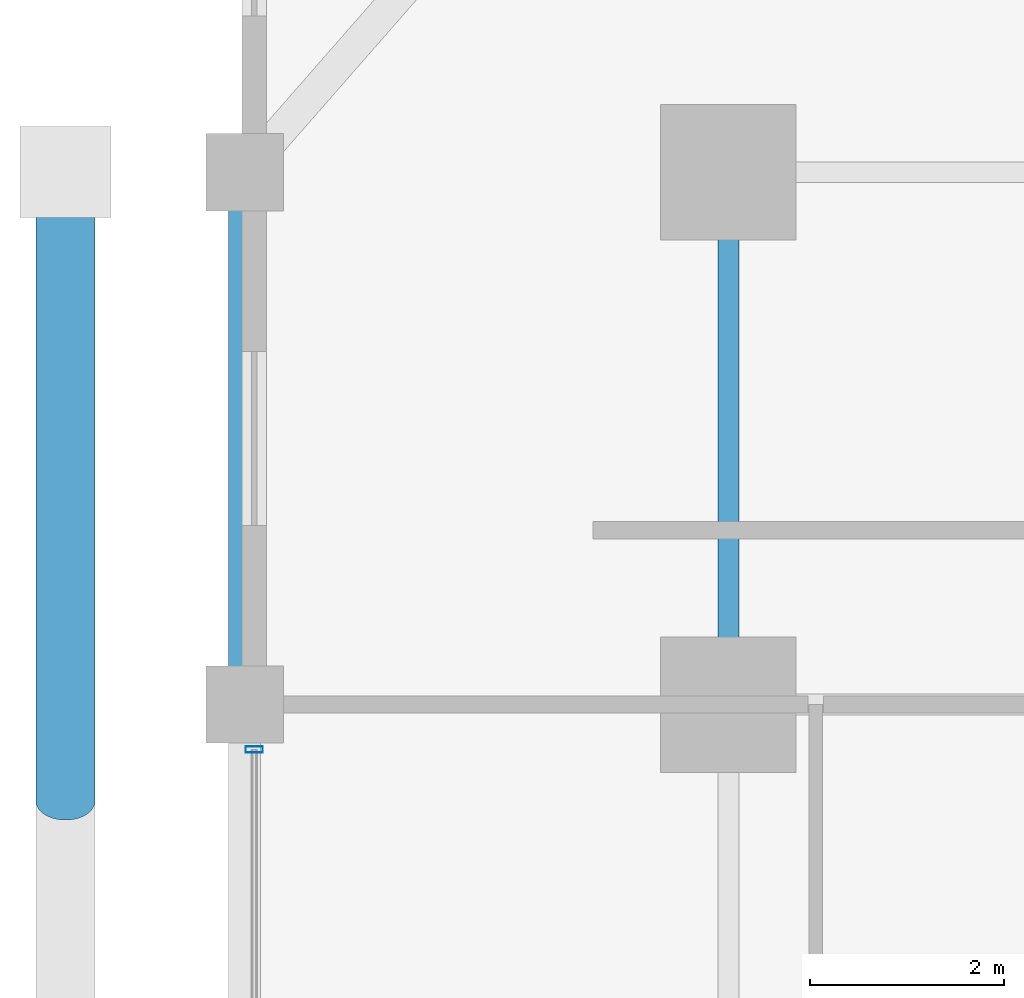
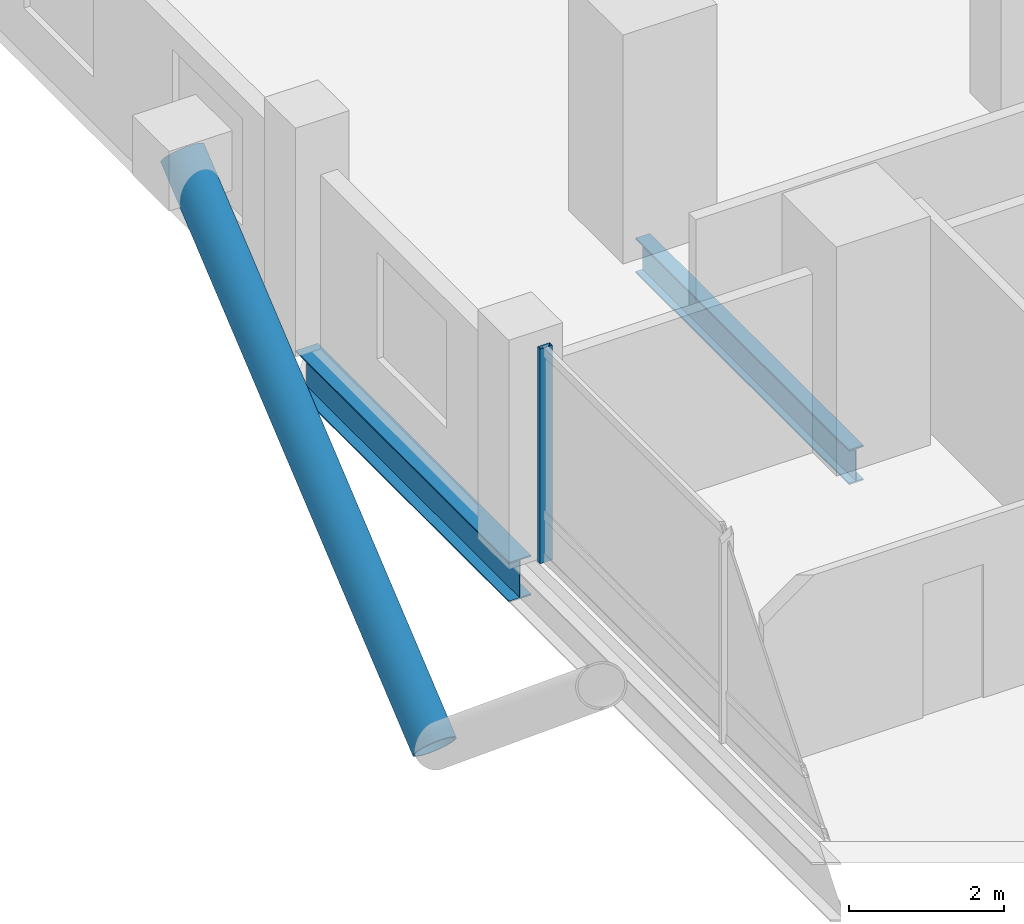
# One storey, part 11 of 23: 2 beams, 2 members, 1 element without a shape of its own.
"""IFC4 building model written with IfcOpenShell, lengths in metres."""

import ifcopenshell
import ifcopenshell.guid

model = None  # the IFC model being written
_history = None  # IfcOwnerHistory: only IFC2X3 demands one
_inside = {}  # id of a spatial element -> (the spatial element, [elements in it])
_under = {}  # id of a project, library or spatial element -> (it, [spatial elements below it])
_declared = {}  # id of a project -> (the project, [libraries it declares])
_typed = {}  # id of a type object -> (the type object, [elements of that type])
_made_of = {}  # id of a material, layer set ... -> (it, [elements and type objects made of it])


def new_model(schema):
    """Start an empty IFC model of exactly this schema.

    Asked for "IFC4X3", IfcOpenShell would pick the latest addendum, in which some entities
    have other attributes; the version numbers below select the first issue.
    IFC2X3 requires an IfcOwnerHistory on every rooted entity: one is made here for all.
    """
    global model, _history
    if schema == "IFC4X3":
        model = ifcopenshell.file(schema_version=(4, 3, 0, 0))
    else:
        model = ifcopenshell.file(schema=schema)
    _inside.clear()
    _under.clear()
    _declared.clear()
    _typed.clear()
    _made_of.clear()
    _history = None
    if model.schema == "IFC2X3":
        org = make("IfcOrganization", Name="unknown")
        user = make(
            "IfcPersonAndOrganization",
            ThePerson=make("IfcPerson", FamilyName="unknown"),
            TheOrganization=org,
        )
        app = make(
            "IfcApplication",
            ApplicationDeveloper=org,
            Version="unknown",
            ApplicationFullName="unknown",
            ApplicationIdentifier="unknown",
        )
        _history = make(
            "IfcOwnerHistory",
            OwningUser=user,
            OwningApplication=app,
            ChangeAction="ADDED",
            CreationDate=0,
        )
    return model


def make(cls, **values):
    """One entity of the class cls with the attributes given. An attribute that is None is left unset."""
    return model.create_entity(
        cls, **{name: value for name, value in values.items() if value is not None}
    )


def rooted(cls, **values):
    """An entity with a GlobalId (a new one), such as an element, a storey or a relation."""
    return make(cls, GlobalId=ifcopenshell.guid.new(), OwnerHistory=_history, **values)


def si_unit(unit_type, name, prefix=None):
    """IfcSIUnit, for example si_unit("LENGTHUNIT", "METRE", prefix="MILLI")."""
    return make("IfcSIUnit", UnitType=unit_type, Prefix=prefix, Name=name)


def assignment(units):
    """IfcUnitAssignment: the units of a project."""
    return None if units is None else make("IfcUnitAssignment", Units=units)


def point(xyz):
    """IfcCartesianPoint."""
    return None if xyz is None else make("IfcCartesianPoint", Coordinates=xyz)


def direction(xyz):
    """IfcDirection."""
    return None if xyz is None else make("IfcDirection", DirectionRatios=xyz)


def frame(location, z_axis=None, x_axis=None):
    """IfcAxis2Placement3D, a coordinate frame: its origin and axes. An axis left out is left unset."""
    return make(
        "IfcAxis2Placement3D",
        Location=point(location),
        Axis=direction(z_axis),
        RefDirection=direction(x_axis),
    )


def frame_2d(location, x_axis=None):
    """IfcAxis2Placement2D, a coordinate frame in the plane: its origin and x axis."""
    return make(
        "IfcAxis2Placement2D", Location=point(location), RefDirection=direction(x_axis)
    )


def origin():
    """The frame at (0, 0, 0) with its axes left unset."""
    return frame((0.0, 0.0, 0.0))


def origin_2d():
    """The frame at (0, 0) in the plane with its x axis left unset."""
    return frame_2d((0.0, 0.0))


def place(relative_to, where):
    """IfcLocalPlacement: puts the frame where relative to a parent placement (None: the world)."""
    return make(
        "IfcLocalPlacement", PlacementRelTo=relative_to, RelativePlacement=where
    )


def context(
    kind, dimensions, precision=None, world=None, true_north=None, identifier=None
):
    """IfcGeometricRepresentationContext, for example the 3D "Model" context."""
    return make(
        "IfcGeometricRepresentationContext",
        ContextIdentifier=identifier,
        ContextType=kind,
        CoordinateSpaceDimension=dimensions,
        Precision=precision,
        WorldCoordinateSystem=world,
        TrueNorth=true_north,
    )


def subcontext(parent, identifier, kind, view, scale=None):
    """IfcGeometricRepresentationSubContext, for example "Body" below "Model"."""
    return make(
        "IfcGeometricRepresentationSubContext",
        ContextIdentifier=identifier,
        ContextType=kind,
        ParentContext=parent,
        TargetScale=scale,
        TargetView=view,
    )


def project(units=None, contexts=None):
    """IfcProject with its units and contexts."""
    return rooted(
        "IfcProject",
        Name="project",
        RepresentationContexts=contexts,
        UnitsInContext=assignment(units),
    )


def spatial(cls, under=None, at=None, **own):
    """A site, building, storey or space (cls), placed at a placement, below another one or the project."""
    s = rooted(cls, ObjectPlacement=at, **own)
    if under is not None:
        _under.setdefault(under.id(), (under, []))[1].append(s)
    return s


def profile(cls, at=None, kind="AREA", **sizes):
    """A parametric profile (cls). Its sizes go by their IFC names, for example OverallWidth=200.0."""
    return make(cls, ProfileType=kind, Position=at, **sizes)


def hollow_rectangle(**sizes):
    """IfcRectangleHollowProfileDef."""
    return profile("IfcRectangleHollowProfileDef", **sizes)


def hollow_circle(**sizes):
    """IfcCircleHollowProfileDef."""
    return profile("IfcCircleHollowProfileDef", **sizes)


def i_section(**sizes):
    """IfcIShapeProfileDef."""
    return profile("IfcIShapeProfileDef", **sizes)


def extrude(swept, where, along, depth):
    """IfcExtrudedAreaSolid: the profile swept, set in the frame where, extruded along a direction by depth."""
    return make(
        "IfcExtrudedAreaSolid",
        SweptArea=swept,
        Position=where,
        ExtrudedDirection=direction(along),
        Depth=depth,
    )


def shape(context_of_items, identifier, shape_type, items):
    """IfcShapeRepresentation: the items that make up one representation, for example the "Body"."""
    return make(
        "IfcShapeRepresentation",
        ContextOfItems=context_of_items,
        RepresentationIdentifier=identifier,
        RepresentationType=shape_type,
        Items=items,
    )


def material(Name=None, Category=None):
    """IfcMaterial."""
    return make("IfcMaterial", Name=Name, Category=Category)


def layer(
    of_material, thickness, ventilated=None, Name=None, Category=None, Priority=None
):
    """IfcMaterialLayer: one layer of a wall or slab, of a material (None: an air gap)."""
    return make(
        "IfcMaterialLayer",
        Material=of_material,
        LayerThickness=thickness,
        IsVentilated=ventilated,
        Name=Name,
        Category=Category,
        Priority=Priority,
    )


def layer_set(layers, Name=None):
    """IfcMaterialLayerSet."""
    return make("IfcMaterialLayerSet", MaterialLayers=layers, LayerSetName=Name)


def material_profile(
    of_material, cross_section, Name=None, Category=None, Priority=None
):
    """IfcMaterialProfile: a cross section and its material."""
    return make(
        "IfcMaterialProfile",
        Name=Name,
        Material=of_material,
        Profile=cross_section,
        Priority=Priority,
        Category=Category,
    )


def profile_set(profiles, Name=None, composite=None):
    """IfcMaterialProfileSet."""
    return make(
        "IfcMaterialProfileSet",
        Name=Name,
        MaterialProfiles=profiles,
        CompositeProfile=composite,
    )


def made_of(thing, what):
    """Note that an element or type object is made of a material, layer set ...; save() writes the relation."""
    if what is not None:
        _made_of.setdefault(what.id(), (what, []))[1].append(thing)
    return thing


def type_object(cls, material=None, **own):
    """A type object (cls), such as IfcWallType, which elements share."""
    return made_of(rooted(cls, **own), material)


def element(
    cls,
    number,
    at=None,
    inside=None,
    cuts=None,
    type_object=None,
    material=None,
    context=None,
    identifier="Body",
    shape_type=None,
    held_by="IfcProductDefinitionShape",
    body=None,
    shapes=None,
    **own,
):
    """One element of the class cls, such as IfcWall. Its Tag is "e" and its number.

    at: its placement. inside: the storey or other place that contains it. cuts: it is an
    opening in that element (IfcRelVoidsElement). A single representation is given by context,
    identifier, shape_type and body (its items); several are given by shapes. held_by: the class
    of the entity that holds the representations. save() writes the other relations.
    """
    e = rooted(cls, Tag="e%d" % number, ObjectPlacement=at, **own)
    if body is not None:
        shapes = [shape(context, identifier, shape_type, body)]
    if shapes is not None:
        e.Representation = make(held_by, Representations=shapes)
    if inside is not None:
        _inside.setdefault(inside.id(), (inside, []))[1].append(e)
    if cuts is not None:
        rooted(
            "IfcRelVoidsElement", RelatingBuildingElement=cuts, RelatedOpeningElement=e
        )
    if type_object is not None:
        _typed.setdefault(type_object.id(), (type_object, []))[1].append(e)
    return made_of(e, material)


def aggregate(whole, parts):
    """IfcRelAggregates: a whole, such as a stair, and the parts it consists of."""
    return rooted("IfcRelAggregates", RelatingObject=whole, RelatedObjects=parts)


def save(model, path):
    """Write the relations noted so far, then the file.

    IfcRelAggregates (storeys below a building ...), IfcRelContainedInSpatialStructure (elements
    in a storey), IfcRelDefinesByType, IfcRelAssociatesMaterial and IfcRelDeclares: one each for
    every whole, place, type object, material and project.
    """
    for whole, parts in _under.values():
        aggregate(whole, parts)
    for where, things in _inside.values():
        rooted(
            "IfcRelContainedInSpatialStructure",
            RelatedElements=things,
            RelatingStructure=where,
        )
    for kind, things in _typed.values():
        rooted("IfcRelDefinesByType", RelatedObjects=things, RelatingType=kind)
    for what, things in _made_of.values():
        rooted("IfcRelAssociatesMaterial", RelatedObjects=things, RelatingMaterial=what)
    for by, libraries in _declared.values():
        rooted("IfcRelDeclares", RelatingContext=by, RelatedDefinitions=libraries)
    model.write(path)


model = new_model("IFC4")

# Units and contexts
model_context = context("Model", 3, precision=1e-05, world=origin(), true_north=direction((0.0, 1.0)))
body_context = subcontext(model_context, "Body", "Model", "MODEL_VIEW")
ifc_project = project(units=[si_unit("LENGTHUNIT", "METRE"), si_unit("AREAUNIT", "SQUARE_METRE"), si_unit("VOLUMEUNIT", "CUBIC_METRE"), si_unit("PLANEANGLEUNIT", "RADIAN"), si_unit("MASSUNIT", "GRAM", prefix="KILO")], contexts=[model_context])

# Site, building, storey
site_placement = place(None, origin())
site = spatial("IfcSite", under=ifc_project, at=site_placement, CompositionType="ELEMENT")
building_placement = place(site_placement, origin())
building = spatial("IfcBuilding", under=site, at=building_placement, Name="Barlavira Tower and Art Museum", CompositionType="ELEMENT")
storey_placement = place(building_placement, frame((0.0, 0.0, 68.39990234375)))
storey = spatial("IfcBuildingStorey", under=building, at=storey_placement, Name="L16", CompositionType="ELEMENT", Elevation=68.39990234375)

# Curtain wall, member
ifc_material_1 = material(Name="Low-iron coastal laminated glass", Category="glass")
ifc_layer = layer(ifc_material_1, 0.179931640625, Name="Low-iron coastal laminated glass")
ifc_layer_set = layer_set([ifc_layer], Name="Low-iron coastal laminated glass")
curtain_wall_type = type_object("IfcCurtainWallType", Name="Pale-Metal Unitised Curtain Wall Zone 1", PredefinedType="NOTDEFINED", material=ifc_layer_set)
curtain_wall_placement = place(storey_placement, origin())
curtain_wall = element("IfcCurtainWall", 1, at=curtain_wall_placement, inside=storey, type_object=curtain_wall_type, Name="L16 Curtain Wall CW1-L16-W-B3", PredefinedType="NOTDEFINED")
ifc_material_2 = material(Name="Pale anodised aluminium", Category="aluminium")
ifc_material_profile_1 = material_profile(ifc_material_2, hollow_rectangle(XDim=0.06494140625, YDim=0.179931640625, WallThickness=0.00390625, at=origin_2d()), Name="ALU-MULL 65x180x4")
ifc_profile_set_1 = profile_set([ifc_material_profile_1], Name="Pale anodised aluminium")
member_type_1 = type_object("IfcMemberType", Name="Curtain Wall Pale-Metal Mullion 65x180", PredefinedType="MULLION", material=ifc_profile_set_1)
member_1_placement = place(storey_placement, frame((-21.89990234375, 7.034912109375, 0.0), z_axis=(0.0, 0.0, 1.0), x_axis=(0.0, -1.0, 0.0)))
member_1 = element("IfcMember", 2, at=member_1_placement, type_object=member_type_1, Name="CW1-L16-W-B3 Mullion 0", PredefinedType="MULLION", context=body_context, shape_type="SweptSolid", body=[
    extrude(hollow_rectangle(XDim=0.06494140625, YDim=0.179931640625, WallThickness=0.00390625, at=origin_2d()), origin(), (0.0, 0.0, 1.0), 3.380126953125),
])
aggregate(curtain_wall, [member_1])

# Member
ifc_material_3 = material(Name="Steel S355", Category="steel")
ifc_material_profile_2 = material_profile(ifc_material_3, hollow_circle(Radius=0.304931640625, WallThickness=0.028076171875, at=origin_2d()), Name="CHS 610.0x28.0")
ifc_profile_set_2 = profile_set([ifc_material_profile_2], Name="Steel S355")
member_type_2 = type_object("IfcMemberType", Name="Pale-Metal Exoskeleton Diagrid Tube CHS 610x28 Steel S355", PredefinedType="BRACE", material=ifc_profile_set_2)
member_2_placement = place(storey_placement, frame((-23.85009765625, 6.5, -1.919921875), z_axis=(0.0, 0.769196053329, 0.639012857104), x_axis=(-1.0, 0.0, 0.0)))
element("IfcMember", 3, at=member_2_placement, inside=storey, type_object=member_type_2, Name="L16 Exoskeleton Diagrid Tube W", PredefinedType="BRACE", context=body_context, shape_type="SweptSolid", body=[
    extrude(hollow_circle(Radius=0.304931640625, WallThickness=0.028076171875, at=origin_2d()), origin(), (0.0, 0.0, 1.0), 8.450439453125),
])

# Beams
ifc_material_profile_3 = material_profile(ifc_material_3, i_section(OverallWidth=0.327880859375, OverallDepth=0.62890625, WebThickness=0.013916015625, FlangeThickness=0.021484375, at=origin_2d()), Name="W610x174.0")
ifc_profile_set_3 = profile_set([ifc_material_profile_3], Name="Steel S355")
beam_type_1 = type_object("IfcBeamType", Name="Perimeter Spandrel Edge Beam W610x174 Steel S355", PredefinedType="SPANDREL", material=ifc_profile_set_3)
beam_1_placement = place(storey_placement, frame((-22.0, 7.5, -0.534423828125), z_axis=(0.0, 1.0, 0.0), x_axis=(-1.0, 0.0, 0.0)))
element("IfcBeam", 4, at=beam_1_placement, inside=storey, type_object=beam_type_1, Name="L16 Spandrel 13", PredefinedType="SPANDREL", context=body_context, shape_type="SweptSolid", body=[
    extrude(i_section(OverallWidth=0.327880859375, OverallDepth=0.62890625, WebThickness=0.013916015625, FlangeThickness=0.021484375, at=origin_2d()), origin(), (0.0, 0.0, 1.0), 5.5),
])
ifc_material_profile_4 = material_profile(ifc_material_3, i_section(OverallWidth=0.214111328125, OverallDepth=0.549072265625, WebThickness=0.0146484375, FlangeThickness=0.023681640625, at=origin_2d()), Name="W530x138.0")
ifc_profile_set_4 = profile_set([ifc_material_profile_4], Name="Steel S355")
beam_type_2 = type_object("IfcBeamType", Name="Zone 1 Primary Floor Girder W530x138 Steel S355", PredefinedType="BEAM", material=ifc_profile_set_4)
beam_2_placement = place(storey_placement, frame((-17.0, 7.5, -0.494384765625), z_axis=(0.0, 1.0, 0.0), x_axis=(-1.0, 0.0, 0.0)))
element("IfcBeam", 5, at=beam_2_placement, inside=storey, type_object=beam_type_2, Name="L16 Girder M-W3", PredefinedType="BEAM", context=body_context, shape_type="SweptSolid", body=[
    extrude(i_section(OverallWidth=0.214111328125, OverallDepth=0.549072265625, WebThickness=0.0146484375, FlangeThickness=0.023681640625, at=origin_2d()), origin(), (0.0, 0.0, 1.0), 5.5),
])

save(model, "model.ifc")
